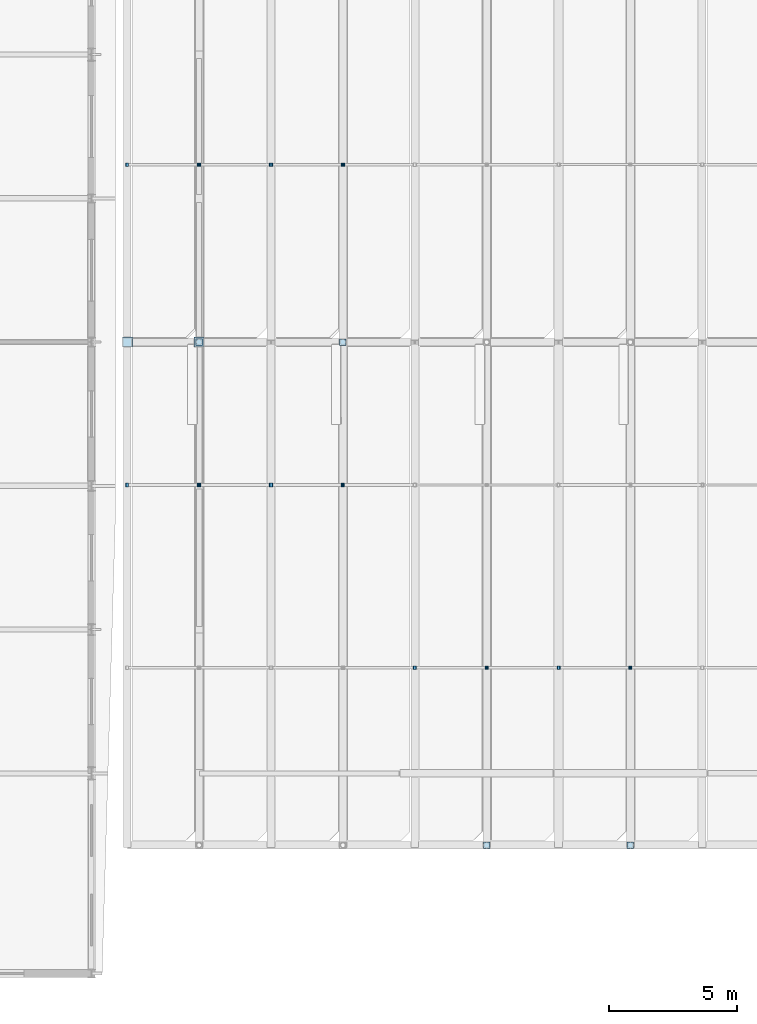
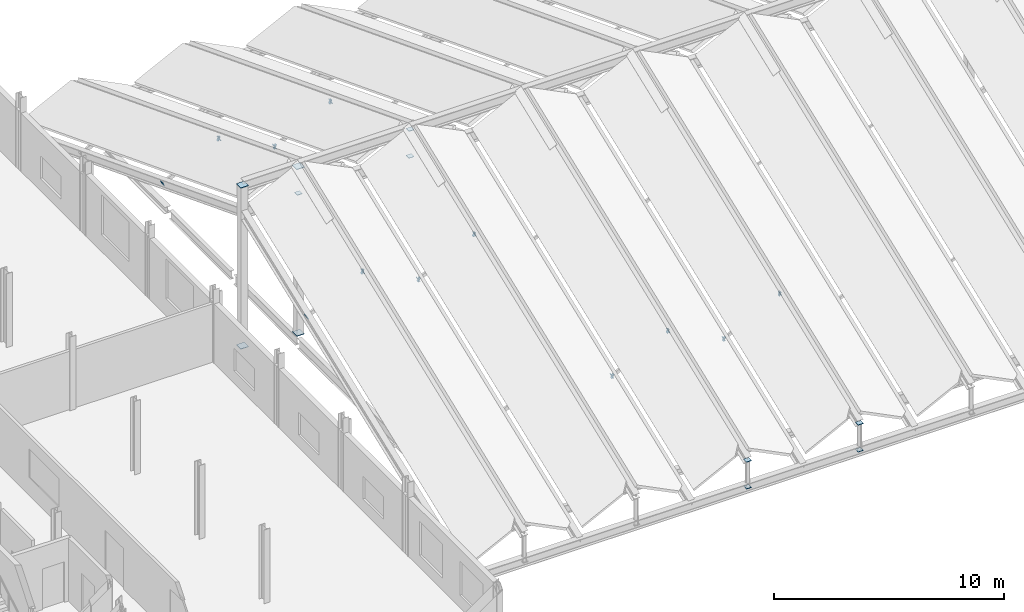
# One storey, part 31 of 49: 33 plates.
"""IFC4 building model written with IfcOpenShell, lengths in metres."""

from ifc_helpers import new_model, si_unit, direction, frame, origin, origin_2d, place, context, subcontext, project, spatial, rectangle, extrude, material, material_profile, profile_set, type_object, element, save


model = new_model("IFC4")

# Units and contexts
model_context = context("Model", 3, precision=1e-05, world=origin(), true_north=direction((0.0, 1.0)))
body_context = subcontext(model_context, "Body", "Model", "MODEL_VIEW")
ifc_project = project(units=[si_unit("LENGTHUNIT", "METRE"), si_unit("AREAUNIT", "SQUARE_METRE"), si_unit("VOLUMEUNIT", "CUBIC_METRE"), si_unit("PLANEANGLEUNIT", "RADIAN"), si_unit("MASSUNIT", "GRAM", prefix="KILO")], contexts=[model_context])

# Site, building, storey
site_placement = place(None, origin())
site = spatial("IfcSite", under=ifc_project, at=site_placement, CompositionType="ELEMENT")
building_placement = place(site_placement, origin())
building = spatial("IfcBuilding", under=site, at=building_placement, Name="Vinh Khe Railworks Police Headquarters", CompositionType="ELEMENT")
storey_placement = place(building_placement, frame((0.0, 0.0, 17.10009765625)))
storey = spatial("IfcBuildingStorey", under=building, at=storey_placement, Name="L04", CompositionType="ELEMENT", Elevation=17.10009765625)

# Plates
ifc_material = material(Name="Steel S355JR", Category="steel")
ifc_material_profile_1 = material_profile(ifc_material, rectangle(XDim=0.1201171875, YDim=0.199951171875, at=origin_2d()), Name="PL 120x200")
ifc_profile_set_1 = profile_set([ifc_material_profile_1], Name="Steel S355JR")
plate_type_1 = type_object("IfcPlateType", Name="Steel End-Cap Plate 120x200x24", PredefinedType="SHEET", material=ifc_profile_set_1)
for number, where, z_axis, x_axis, name in (
    (1, (40.39990234375, 29.31396484375, 2.479736328125), (-0.894427191, 0.0, -0.4472135955), (0.0, -1.0, 0.0), "End-Cap Gusset Plate PLT-EP-0388"),
    (2, (43.199951171875, 29.31396484375, 3.879638671875), (-0.894427191, 0.0, 0.4472135955), (0.0, -1.0, 0.0), "End-Cap Gusset Plate PLT-EP-0414"),
    (3, (43.199951171875, 29.31396484375, 3.879638671875), (0.894427191, 0.0, 0.4472135955), (0.0, 1.0, 0.0), "End-Cap Gusset Plate PLT-EP-0415"),
):
    element("IfcPlate", number, at=place(storey_placement, frame(where, z_axis=z_axis, x_axis=x_axis)), inside=storey, type_object=plate_type_1, Name=name, PredefinedType="SHEET", context=body_context, shape_type="SweptSolid", body=[
        extrude(rectangle(XDim=0.1201171875, YDim=0.199951171875, at=origin_2d()), origin(), (0.0, 0.0, 1.0), 0.02392578125),
    ])
ifc_material_profile_2 = material_profile(ifc_material, rectangle(XDim=0.139892578125, YDim=0.219970703125, at=origin_2d()), Name="PL 140x220")
ifc_profile_set_2 = profile_set([ifc_material_profile_2], Name="Steel S355JR")
plate_type_2 = type_object("IfcPlateType", Name="Steel End-Cap Plate 140x220x24", PredefinedType="SHEET", material=ifc_profile_set_2)
for number, where, z_axis, x_axis, name in (
    (4, (29.199951171875, 36.432861328125, 5.22998046875), (-0.894427191, 0.0, -0.4472135955), (0.0, -1.0, 0.0), "End-Cap Gusset Plate PLT-EP-0282"),
    (5, (32.0, 36.432861328125, 6.630126953125), (-0.894427191, 0.0, 0.4472135955), (0.0, -1.0, 0.0), "End-Cap Gusset Plate PLT-EP-0294"),
    (6, (32.0, 36.432861328125, 6.630126953125), (0.894427191, 0.0, 0.4472135955), (0.0, 1.0, 0.0), "End-Cap Gusset Plate PLT-EP-0295"),
    (7, (34.800048828125, 29.31396484375, 2.4697265625), (-0.894427191, 0.0, -0.4472135955), (0.0, -1.0, 0.0), "End-Cap Gusset Plate PLT-EP-0326"),
    (8, (37.60009765625, 29.31396484375, 3.86962890625), (-0.894427191, 0.0, 0.4472135955), (0.0, -1.0, 0.0), "End-Cap Gusset Plate PLT-EP-0368"),
    (9, (37.60009765625, 29.31396484375, 3.86962890625), (0.894427191, 0.0, 0.4472135955), (0.0, 1.0, 0.0), "End-Cap Gusset Plate PLT-EP-0369"),
    (10, (40.39990234375, 29.31396484375, 2.4697265625), (0.894427191, 0.0, -0.4472135955), (0.0, 1.0, 0.0), "End-Cap Gusset Plate PLT-EP-0389"),
):
    element("IfcPlate", number, at=place(storey_placement, frame(where, z_axis=z_axis, x_axis=x_axis)), inside=storey, type_object=plate_type_2, Name=name, PredefinedType="SHEET", context=body_context, shape_type="SweptSolid", body=[
        extrude(rectangle(XDim=0.139892578125, YDim=0.219970703125, at=origin_2d()), origin(), (0.0, 0.0, 1.0), 0.02392578125),
    ])
ifc_material_profile_3 = material_profile(ifc_material, rectangle(XDim=0.139892578125, YDim=0.239990234375, at=origin_2d()), Name="PL 140x240")
ifc_profile_set_3 = profile_set([ifc_material_profile_3], Name="Steel S355JR")
plate_type_3 = type_object("IfcPlateType", Name="Steel End-Cap Plate 140x240x24", PredefinedType="SHEET", material=ifc_profile_set_3)
for number, where, z_axis, x_axis, name in (
    (11, (23.60009765625, 36.432861328125, 5.219970703125), (-0.894427191, 0.0, -0.4472135955), (0.0, -1.0, 0.0), "End-Cap Gusset Plate PLT-EP-0166"),
    (12, (23.60009765625, 48.9140625, 4.69775390625), (-0.894427191, 0.0, -0.4472135955), (0.0, -1.0, 0.0), "End-Cap Gusset Plate PLT-EP-0185"),
    (13, (26.39990234375, 36.432861328125, 6.6201171875), (-0.894427191, 0.0, 0.4472135955), (0.0, -1.0, 0.0), "End-Cap Gusset Plate PLT-EP-0235"),
    (14, (26.39990234375, 36.432861328125, 6.6201171875), (0.894427191, 0.0, 0.4472135955), (0.0, 1.0, 0.0), "End-Cap Gusset Plate PLT-EP-0236"),
    (15, (26.39990234375, 48.9140625, 6.097900390625), (-0.894427191, 0.0, 0.4472135955), (0.0, -1.0, 0.0), "End-Cap Gusset Plate PLT-EP-0240"),
    (16, (26.39990234375, 48.9140625, 6.097900390625), (0.894427191, 0.0, 0.4472135955), (0.0, 1.0, 0.0), "End-Cap Gusset Plate PLT-EP-0241"),
    (17, (29.199951171875, 36.432861328125, 5.219970703125), (0.894427191, 0.0, -0.4472135955), (0.0, 1.0, 0.0), "End-Cap Gusset Plate PLT-EP-0283"),
    (18, (29.199951171875, 48.9140625, 4.69775390625), (-0.894427191, 0.0, -0.4472135955), (0.0, -1.0, 0.0), "End-Cap Gusset Plate PLT-EP-0284"),
    (19, (29.199951171875, 48.9140625, 4.69775390625), (0.894427191, 0.0, -0.4472135955), (0.0, 1.0, 0.0), "End-Cap Gusset Plate PLT-EP-0285"),
    (20, (32.0, 48.9140625, 6.097900390625), (-0.894427191, 0.0, 0.4472135955), (0.0, -1.0, 0.0), "End-Cap Gusset Plate PLT-EP-0298"),
    (21, (32.0, 48.9140625, 6.097900390625), (0.894427191, 0.0, 0.4472135955), (0.0, 1.0, 0.0), "End-Cap Gusset Plate PLT-EP-0299"),
    (22, (34.800048828125, 29.31396484375, 2.459716796875), (0.894427191, 0.0, -0.4472135955), (0.0, 1.0, 0.0), "End-Cap Gusset Plate PLT-EP-0327"),
):
    element("IfcPlate", number, at=place(storey_placement, frame(where, z_axis=z_axis, x_axis=x_axis)), inside=storey, type_object=plate_type_3, Name=name, PredefinedType="SHEET", context=body_context, shape_type="SweptSolid", body=[
        extrude(rectangle(XDim=0.139892578125, YDim=0.239990234375, at=origin_2d()), origin(), (0.0, 0.0, 1.0), 0.02392578125),
    ])
ifc_material_profile_4 = material_profile(ifc_material, rectangle(XDim=0.259033203125, YDim=0.259033203125, at=origin_2d()), Name="PL 259x259")
ifc_profile_set_4 = profile_set([ifc_material_profile_4], Name="Steel S355JR")
plate_type_4 = type_object("IfcPlateType", Name="Steel End-Cap Plate 259x259x24", PredefinedType="SHEET", material=ifc_profile_set_4)
for number, where, z_axis, x_axis, name in (
    (23, (26.39990234375, 42.0, 7.40869140625), (0.0, 0.0, -1.0), (1.0, 0.0, 0.0), "End-Cap Gusset Plate PLT-EP-0238"),
    (24, (32.0, 42.0, 7.40869140625), (0.0, 0.0, -1.0), (1.0, 0.0, 0.0), "End-Cap Gusset Plate PLT-EP-0296"),
    (25, (32.0, 42.0, 8.808837890625), (0.0, 0.0, 1.0), (1.0, 0.0, 0.0), "End-Cap Gusset Plate PLT-EP-0297"),
):
    element("IfcPlate", number, at=place(storey_placement, frame(where, z_axis=z_axis, x_axis=x_axis)), inside=storey, type_object=plate_type_4, Name=name, PredefinedType="SHEET", context=body_context, shape_type="SweptSolid", body=[
        extrude(rectangle(XDim=0.259033203125, YDim=0.259033203125, at=origin_2d()), origin(), (0.0, 0.0, 1.0), 0.02392578125),
    ])
plate_1_placement = place(storey_placement, frame((37.60009765625, 22.39990234375, -0.191162109375), z_axis=(0.0, 0.0, -1.0), x_axis=(1.0, 0.0, 0.0)))
element("IfcPlate", 26, at=plate_1_placement, inside=storey, type_object=plate_type_4, Name="End-Cap Gusset Plate PLT-EP-0366", PredefinedType="SHEET", context=body_context, shape_type="SweptSolid", body=[
    extrude(rectangle(XDim=0.259033203125, YDim=0.259033203125, at=origin_2d()), origin(), (0.0, 0.0, 1.0), 0.024169921875),
])
plate_2_placement = place(storey_placement, frame((37.60009765625, 22.39990234375, 1.208740234375), z_axis=(0.0, 0.0, 1.0), x_axis=(1.0, 0.0, 0.0)))
element("IfcPlate", 27, at=plate_2_placement, inside=storey, type_object=plate_type_4, Name="End-Cap Gusset Plate PLT-EP-0367", PredefinedType="SHEET", context=body_context, shape_type="SweptSolid", body=[
    extrude(rectangle(XDim=0.259033203125, YDim=0.259033203125, at=origin_2d()), origin(), (0.0, 0.0, 1.0), 0.02392578125),
])
plate_3_placement = place(storey_placement, frame((43.199951171875, 22.39990234375, -0.191162109375), z_axis=(0.0, 0.0, -1.0), x_axis=(1.0, 0.0, 0.0)))
element("IfcPlate", 28, at=plate_3_placement, inside=storey, type_object=plate_type_4, Name="End-Cap Gusset Plate PLT-EP-0412", PredefinedType="SHEET", context=body_context, shape_type="SweptSolid", body=[
    extrude(rectangle(XDim=0.259033203125, YDim=0.259033203125, at=origin_2d()), origin(), (0.0, 0.0, 1.0), 0.024169921875),
])
plate_4_placement = place(storey_placement, frame((43.199951171875, 22.39990234375, 1.208740234375), z_axis=(0.0, 0.0, 1.0), x_axis=(1.0, 0.0, 0.0)))
element("IfcPlate", 29, at=plate_4_placement, inside=storey, type_object=plate_type_4, Name="End-Cap Gusset Plate PLT-EP-0413", PredefinedType="SHEET", context=body_context, shape_type="SweptSolid", body=[
    extrude(rectangle(XDim=0.259033203125, YDim=0.259033203125, at=origin_2d()), origin(), (0.0, 0.0, 1.0), 0.02392578125),
])
ifc_material_profile_5 = material_profile(ifc_material, rectangle(XDim=0.389892578125, YDim=0.389892578125, at=origin_2d()), Name="PL 390x390")
ifc_profile_set_5 = profile_set([ifc_material_profile_5], Name="Steel S355JR")
plate_type_5 = type_object("IfcPlateType", Name="Steel End-Cap Plate 390x390x24", PredefinedType="SHEET", material=ifc_profile_set_5)
for number, where, z_axis, x_axis, name in (
    (30, (23.60009765625, 42.0, 0.2998046875), (0.0, 0.0, -1.0), (1.0, 0.0, 0.0), "End-Cap Gusset Plate PLT-EP-0174"),
    (31, (23.60009765625, 42.0, 8.808837890625), (0.0, 0.0, 1.0), (1.0, 0.0, 0.0), "End-Cap Gusset Plate PLT-EP-0176"),
):
    element("IfcPlate", number, at=place(storey_placement, frame(where, z_axis=z_axis, x_axis=x_axis)), inside=storey, type_object=plate_type_5, Name=name, PredefinedType="SHEET", context=body_context, shape_type="SweptSolid", body=[
        extrude(rectangle(XDim=0.389892578125, YDim=0.389892578125, at=origin_2d()), origin(), (0.0, 0.0, 1.0), 0.02392578125),
    ])
plate_5_placement = place(storey_placement, frame((26.39990234375, 42.0, 0.0), z_axis=(0.0, 0.0, -1.0), x_axis=(1.0, 0.0, 0.0)))
element("IfcPlate", 32, at=plate_5_placement, inside=storey, type_object=plate_type_5, Name="End-Cap Gusset Plate PLT-EP-0237", PredefinedType="SHEET", context=body_context, shape_type="SweptSolid", body=[
    extrude(rectangle(XDim=0.389892578125, YDim=0.389892578125, at=origin_2d()), origin(), (0.0, 0.0, 1.0), 0.024169921875),
])
plate_6_placement = place(storey_placement, frame((26.39990234375, 42.0, 8.808837890625), z_axis=(0.0, 0.0, 1.0), x_axis=(1.0, 0.0, 0.0)))
element("IfcPlate", 33, at=plate_6_placement, inside=storey, type_object=plate_type_5, Name="End-Cap Gusset Plate PLT-EP-0239", PredefinedType="SHEET", context=body_context, shape_type="SweptSolid", body=[
    extrude(rectangle(XDim=0.389892578125, YDim=0.389892578125, at=origin_2d()), origin(), (0.0, 0.0, 1.0), 0.02392578125),
])

save(model, "model.ifc")
